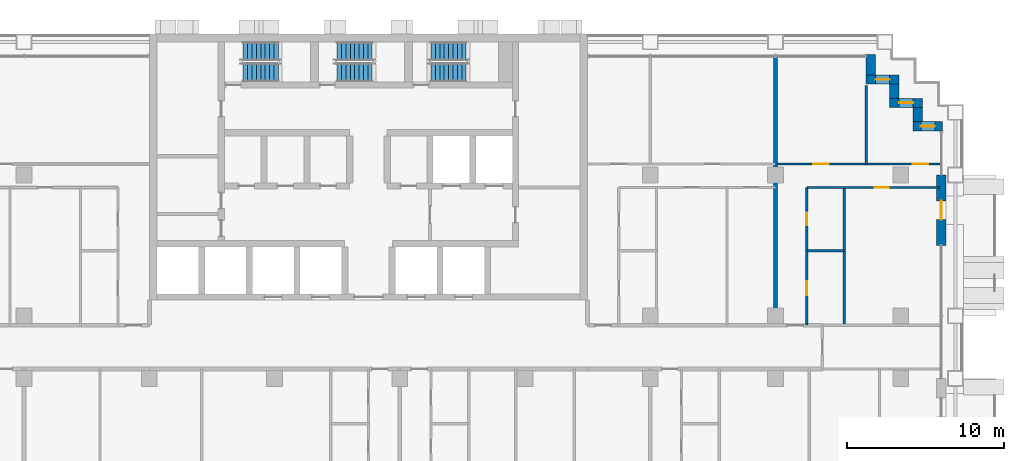
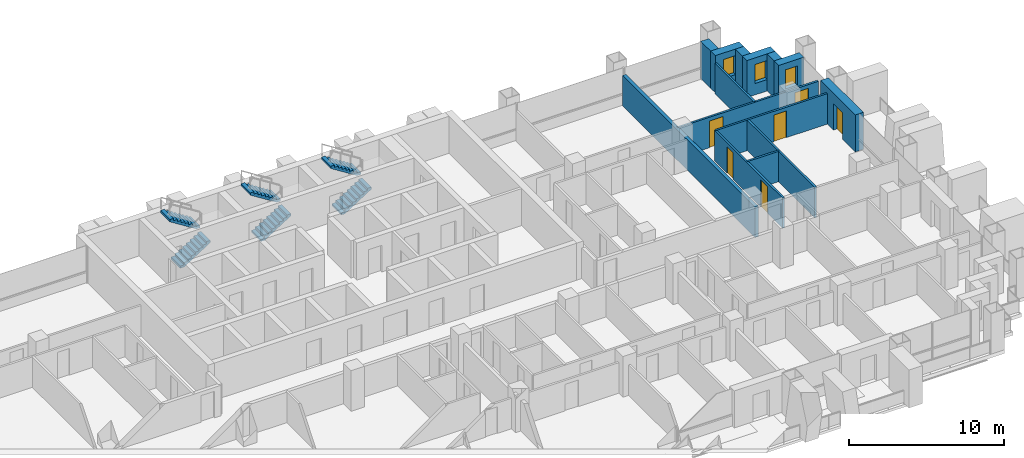
# One storey, part 14 of 18: 14 walls, 6 doors, 6 stair flights, 3 windows, 9 openings, 3 elements without a shape of their own.
"""IFC4 building model written with IfcOpenShell, lengths in metres."""

from ifc_helpers import new_model, si_unit, direction, frame, frame_2d, origin, place, context, subcontext, project, spatial, polyline, rectangle, outline, extrude, material, layer, layer_set, type_object, element, fill, aggregate, save


model = new_model("IFC4")

# Units and contexts
model_context = context("Model", 3, precision=1e-05, world=origin(), true_north=direction((0.0, 1.0)))
body_context = subcontext(model_context, "Body", "Model", "MODEL_VIEW")
ifc_project = project(units=[si_unit("LENGTHUNIT", "METRE"), si_unit("AREAUNIT", "SQUARE_METRE"), si_unit("VOLUMEUNIT", "CUBIC_METRE"), si_unit("PLANEANGLEUNIT", "RADIAN"), si_unit("MASSUNIT", "GRAM", prefix="KILO")], contexts=[model_context])

# Site, building, storey
site_placement = place(None, origin())
site = spatial("IfcSite", under=ifc_project, at=site_placement, CompositionType="ELEMENT")
building_placement = place(site_placement, origin())
building = spatial("IfcBuilding", under=site, at=building_placement, Name="Vidyagriha Tower", CompositionType="ELEMENT")
storey_placement = place(building_placement, frame((0.0, 0.0, 44.800048828125)))
storey = spatial("IfcBuildingStorey", under=building, at=storey_placement, Name="L11", CompositionType="ELEMENT", Elevation=44.800048828125)

# Wall, opening, window
ifc_material_1 = material(Name="Precast concrete C40/50 with brick facing", Category="concrete")
ifc_layer_1 = layer(ifc_material_1, 0.60009765625)
ifc_layer_set_1 = layer_set([ifc_layer_1], Name="Precast concrete C40/50 with brick facing")
wall_type_1 = type_object("IfcWallType", Name="Brick-faced precast wall 600", PredefinedType="STANDARD", material=ifc_layer_set_1)
wall_1_placement = place(storey_placement, frame((36.679931640625, 14.10009765625, 0.0), z_axis=(0.0, 0.0, 1.0), x_axis=(-1.0, 0.0, 0.0)))
wall_1 = element("IfcWall", 1, at=wall_1_placement, inside=storey, type_object=wall_type_1, Name="Stepped corner wall L11 R01", PredefinedType="STANDARD", context=body_context, shape_type="SweptSolid", body=[
    extrude(rectangle(XDim=1.8798828125, YDim=0.60009765625, at=frame_2d((0.93994140625, 0.0))), origin(), (0.0, 0.0, 1.0), 2.919921875),
])
opening_1_placement = place(wall_1_placement, frame((0.489990234375, 0.0, 0.89990234375)))
opening_1 = element("IfcOpeningElement", 2, at=opening_1_placement, cuts=wall_1, Name="Opening WN1", PredefinedType="OPENING", context=body_context, shape_type="SweptSolid", body=[
    extrude(rectangle(XDim=0.89990234375, YDim=1.5, at=frame_2d((0.449951171875, 0.75))), frame((0.0, 0.31005859375, 0.0), z_axis=(0.0, -1.0, 0.0), x_axis=(1.0, 0.0, 0.0)), (0.0, 0.0, 1.0), 0.6201171875),
])
ifc_material_2 = material(Name="Aluminium and glass window", Category="aluminium")
window_type = type_object("IfcWindowType", Name="Reveal window 900x1500", PartitioningType="NOTDEFINED", PredefinedType="WINDOW", material=ifc_material_2)
window_1_placement = place(opening_1_placement, origin())
window_1 = element("IfcWindow", 3, at=window_1_placement, inside=storey, type_object=window_type, Name="Reveal window L11 R01", OverallHeight=1.5, OverallWidth=0.89990234375, PartitioningType="SINGLE_PANEL", PredefinedType="WINDOW", context=body_context, shape_type="SweptSolid", body=[
    extrude(rectangle(XDim=0.89990234375, YDim=1.5, at=frame_2d((0.449951171875, 0.75))), frame((0.0, 0.030029296875, 0.0), z_axis=(0.0, -1.0, 0.0), x_axis=(1.0, 0.0, 0.0)), (0.0, 0.0, 1.0), 0.06005859375),
])
fill(opening_1, window_1)

# Wall
wall_2_placement = place(storey_placement, frame((35.10009765625, 14.39990234375, 0.0), z_axis=(0.0, 0.0, 1.0), x_axis=(0.0, 1.0, 0.0)))
element("IfcWall", 4, at=wall_2_placement, inside=storey, type_object=wall_type_1, Name="Stepped corner wall L11 R02", PredefinedType="STANDARD", context=body_context, shape_type="SweptSolid", body=[
    extrude(rectangle(XDim=0.900146484375, YDim=0.60009765625, at=frame_2d((0.4501953125, 0.0))), origin(), (0.0, 0.0, 1.0), 2.919921875),
])

# Wall, opening, window
wall_3_placement = place(storey_placement, frame((35.39990234375, 15.60009765625, 0.0), z_axis=(0.0, 0.0, 1.0), x_axis=(-1.0, 0.0, 0.0)))
wall_3 = element("IfcWall", 5, at=wall_3_placement, inside=storey, type_object=wall_type_1, Name="Stepped corner wall L11 R03", PredefinedType="STANDARD", context=body_context, shape_type="SweptSolid", body=[
    extrude(rectangle(XDim=2.099853515625, YDim=0.60009765625, at=frame_2d((1.0498046875, 0.0))), origin(), (0.0, 0.0, 1.0), 2.919921875),
])
opening_2_placement = place(wall_3_placement, frame((0.60009765625, 0.0, 0.89990234375)))
opening_2 = element("IfcOpeningElement", 6, at=opening_2_placement, cuts=wall_3, Name="Opening WN1", PredefinedType="OPENING", context=body_context, shape_type="SweptSolid", body=[
    extrude(rectangle(XDim=0.89990234375, YDim=1.5, at=frame_2d((0.449951171875, 0.75))), frame((0.0, 0.31005859375, 0.0), z_axis=(0.0, -1.0, 0.0), x_axis=(1.0, 0.0, 0.0)), (0.0, 0.0, 1.0), 0.6201171875),
])
window_2_placement = place(opening_2_placement, origin())
window_2 = element("IfcWindow", 7, at=window_2_placement, inside=storey, type_object=window_type, Name="Reveal window L11 R03", OverallHeight=1.5, OverallWidth=0.89990234375, PartitioningType="SINGLE_PANEL", PredefinedType="WINDOW", context=body_context, shape_type="SweptSolid", body=[
    extrude(rectangle(XDim=0.89990234375, YDim=1.5, at=frame_2d((0.449951171875, 0.75))), frame((0.0, 0.030029296875, 0.0), z_axis=(0.0, -1.0, 0.0), x_axis=(1.0, 0.0, 0.0)), (0.0, 0.0, 1.0), 0.06005859375),
])
fill(opening_2, window_2)

# Wall
wall_4_placement = place(storey_placement, frame((33.60009765625, 15.89990234375, 0.0), z_axis=(0.0, 0.0, 1.0), x_axis=(0.0, 1.0, 0.0)))
element("IfcWall", 8, at=wall_4_placement, inside=storey, type_object=wall_type_1, Name="Stepped corner wall L11 R04", PredefinedType="STANDARD", context=body_context, shape_type="SweptSolid", body=[
    extrude(rectangle(XDim=0.900146484375, YDim=0.60009765625, at=frame_2d((0.4501953125, 0.0))), origin(), (0.0, 0.0, 1.0), 2.919921875),
])

# Wall, opening, window
wall_5_placement = place(storey_placement, frame((33.89990234375, 17.10009765625, 0.0), z_axis=(0.0, 0.0, 1.0), x_axis=(-1.0, 0.0, 0.0)))
wall_5 = element("IfcWall", 9, at=wall_5_placement, inside=storey, type_object=wall_type_1, Name="Stepped corner wall L11 R05", PredefinedType="STANDARD", context=body_context, shape_type="SweptSolid", body=[
    extrude(rectangle(XDim=2.099853515625, YDim=0.60009765625, at=frame_2d((1.0498046875, 0.0))), origin(), (0.0, 0.0, 1.0), 2.919921875),
])
opening_3_placement = place(wall_5_placement, frame((0.60009765625, 0.0, 0.89990234375)))
opening_3 = element("IfcOpeningElement", 10, at=opening_3_placement, cuts=wall_5, Name="Opening WN1", PredefinedType="OPENING", context=body_context, shape_type="SweptSolid", body=[
    extrude(rectangle(XDim=0.89990234375, YDim=1.5, at=frame_2d((0.449951171875, 0.75))), frame((0.0, 0.31005859375, 0.0), z_axis=(0.0, -1.0, 0.0), x_axis=(1.0, 0.0, 0.0)), (0.0, 0.0, 1.0), 0.6201171875),
])
window_3_placement = place(opening_3_placement, origin())
window_3 = element("IfcWindow", 11, at=window_3_placement, inside=storey, type_object=window_type, Name="Reveal window L11 R05", OverallHeight=1.5, OverallWidth=0.89990234375, PartitioningType="SINGLE_PANEL", PredefinedType="WINDOW", context=body_context, shape_type="SweptSolid", body=[
    extrude(rectangle(XDim=0.89990234375, YDim=1.5, at=frame_2d((0.449951171875, 0.75))), frame((0.0, 0.030029296875, 0.0), z_axis=(0.0, -1.0, 0.0), x_axis=(1.0, 0.0, 0.0)), (0.0, 0.0, 1.0), 0.06005859375),
])
fill(opening_3, window_3)

# Wall
wall_6_placement = place(storey_placement, frame((32.10009765625, 17.39990234375, 0.0), z_axis=(0.0, 0.0, 1.0), x_axis=(0.0, 1.0, 0.0)))
element("IfcWall", 12, at=wall_6_placement, inside=storey, type_object=wall_type_1, Name="Stepped corner wall L11 R06", PredefinedType="STANDARD", context=body_context, shape_type="SweptSolid", body=[
    extrude(rectangle(XDim=1.280029296875, YDim=0.60009765625, at=frame_2d((0.64013671875, 0.0))), origin(), (0.0, 0.0, 1.0), 2.919921875),
])

# Wall, opening, door
wall_7_placement = place(storey_placement, frame((36.60009765625, 6.5, 0.0), z_axis=(0.0, 0.0, 1.0), x_axis=(0.0, 1.0, 0.0)))
wall_7 = element("IfcWall", 13, at=wall_7_placement, inside=storey, type_object=wall_type_1, Name="Brick door bay wall L11 R30.6", PredefinedType="STANDARD", context=body_context, shape_type="SweptSolid", body=[
    extrude(rectangle(XDim=4.5, YDim=0.60009765625, at=frame_2d((2.25, 0.0))), origin(), (0.0, 0.0, 1.0), 2.919921875),
])
opening_4_placement = place(wall_7_placement, frame((1.64990234375, 0.0, 0.0)))
opening_4 = element("IfcOpeningElement", 14, at=opening_4_placement, cuts=wall_7, Name="Opening D11-85", PredefinedType="OPENING", context=body_context, shape_type="SweptSolid", body=[
    extrude(rectangle(XDim=1.199951171875, YDim=2.10009765625, at=frame_2d((0.60009765625, 1.050048828125))), frame((0.0, 0.31005859375, 0.0), z_axis=(0.0, -1.0, 0.0), x_axis=(1.0, 0.0, 0.0)), (0.0, 0.0, 1.0), 0.6201171875),
])
ifc_material_3 = material(Name="Aluminium framed glazed sliding door", Category="aluminium")
door_type_1 = type_object("IfcDoorType", Name="Balcony sliding door 1200x2100", OperationType="NOTDEFINED", PredefinedType="DOOR", material=ifc_material_3)
door_1_placement = place(opening_4_placement, origin())
door_1 = element("IfcDoor", 15, at=door_1_placement, inside=storey, type_object=door_type_1, Name="Door D11-85", OperationType="SLIDING_TO_LEFT", OverallHeight=2.10009765625, OverallWidth=1.199951171875, PredefinedType="DOOR", context=body_context, shape_type="SweptSolid", body=[
    extrude(rectangle(XDim=1.199951171875, YDim=2.10009765625, at=frame_2d((0.60009765625, 1.050048828125))), frame((0.0, 0.02490234375, 0.0), z_axis=(0.0, -1.0, 0.0), x_axis=(1.0, 0.0, 0.0)), (0.0, 0.0, 1.0), 0.050048828125),
])
fill(opening_4, door_1)

# Walls
ifc_material_4 = material(Name="Fired clay brick masonry", Category="masonry")
ifc_layer_2 = layer(ifc_material_4, 0.25)
ifc_layer_set_2 = layer_set([ifc_layer_2], Name="Fired clay brick masonry")
wall_type_2 = type_object("IfcWallType", Name="Fired clay brick demising wall 250", PredefinedType="PARTITIONING", material=ifc_layer_set_2)
wall_8_placement = place(storey_placement, frame((26.0, 18.52099609375, 0.0), z_axis=(0.0, 0.0, 1.0), x_axis=(0.0, -1.0, 0.0)))
element("IfcWall", 16, at=wall_8_placement, inside=storey, type_object=wall_type_2, Name="Wall all-L11-w126", PredefinedType="PARTITIONING", context=body_context, shape_type="SweptSolid", body=[
    extrude(rectangle(XDim=17.12109375, YDim=0.25, at=frame_2d((8.560546875, 0.0))), origin(), (0.0, 0.0, 1.0), 2.39990234375),
])
ifc_material_5 = material(Name="Gypsum board partition")
ifc_layer_3 = layer(ifc_material_5, 0.14990234375)
ifc_layer_set_3 = layer_set([ifc_layer_3], Name="Gypsum board partition")
wall_type_3 = type_object("IfcWallType", Name="Gypsum board partition 150", PredefinedType="PARTITIONING", material=ifc_layer_set_3)
wall_9_placement = place(storey_placement, frame((28.0, 6.14990234375, 0.0)))
element("IfcWall", 17, at=wall_9_placement, inside=storey, type_object=wall_type_3, Name="Wall all-L11-w117", PredefinedType="PARTITIONING", context=body_context, shape_type="SweptSolid", body=[
    extrude(rectangle(XDim=2.39990234375, YDim=0.14990234375, at=frame_2d((1.199951171875, 0.0))), origin(), (0.0, 0.0, 1.0), 2.39990234375),
])
wall_10_placement = place(storey_placement, frame((30.39990234375, 10.199951171875, 0.0), z_axis=(0.0, 0.0, 1.0), x_axis=(0.0, -1.0, 0.0)))
element("IfcWall", 18, at=wall_10_placement, inside=storey, type_object=wall_type_3, Name="Wall all-L11-w118", PredefinedType="PARTITIONING", context=body_context, shape_type="SweptSolid", body=[
    extrude(rectangle(XDim=8.800048828125, YDim=0.14990234375, at=frame_2d((4.39990234375, 0.0))), origin(), (0.0, 0.0, 1.0), 2.39990234375),
])

# Wall, opening, door
wall_11_placement = place(storey_placement, frame((36.510009765625, 10.199951171875, 0.0), z_axis=(0.0, 0.0, 1.0), x_axis=(-1.0, 0.0, 0.0)))
wall_11 = element("IfcWall", 19, at=wall_11_placement, inside=storey, type_object=wall_type_3, Name="Wall all-L11-w119", PredefinedType="PARTITIONING", context=body_context, shape_type="SweptSolid", body=[
    extrude(rectangle(XDim=8.510009765625, YDim=0.14990234375, at=frame_2d((4.2548828125, 0.0))), origin(), (0.0, 0.0, 1.0), 2.39990234375),
])
opening_5_placement = place(wall_11_placement, frame((3.27001953125, 0.0, 0.0)))
opening_5 = element("IfcOpeningElement", 20, at=opening_5_placement, cuts=wall_11, Name="Opening D11-69", PredefinedType="OPENING", context=body_context, shape_type="SweptSolid", body=[
    extrude(rectangle(XDim=0.89990234375, YDim=2.10009765625, at=frame_2d((0.449951171875, 1.050048828125))), frame((0.0, 0.0849609375, 0.0), z_axis=(0.0, -1.0, 0.0), x_axis=(1.0, 0.0, 0.0)), (0.0, 0.0, 1.0), 0.169921875),
])
ifc_material_6 = material(Name="Timber door leaf", Category="wood")
door_type_2 = type_object("IfcDoorType", Name="Room door 900x2100", OperationType="NOTDEFINED", PredefinedType="DOOR", material=ifc_material_6)
door_2_placement = place(opening_5_placement, origin())
door_2 = element("IfcDoor", 21, at=door_2_placement, inside=storey, type_object=door_type_2, Name="Door D11-69", OperationType="SINGLE_SWING_RIGHT", OverallHeight=2.10009765625, OverallWidth=0.89990234375, PredefinedType="DOOR", context=body_context, shape_type="SweptSolid", body=[
    extrude(rectangle(XDim=0.89990234375, YDim=2.10009765625, at=frame_2d((0.449951171875, 1.050048828125))), frame((0.0, 0.02490234375, 0.0), z_axis=(0.0, -1.0, 0.0), x_axis=(1.0, 0.0, 0.0)), (0.0, 0.0, 1.0), 0.050048828125),
])
fill(opening_5, door_2)

# Wall, openings, doors
wall_12_placement = place(storey_placement, frame((26.0, 11.699951171875, 0.0)))
wall_12 = element("IfcWall", 22, at=wall_12_placement, inside=storey, type_object=wall_type_3, Name="Wall all-L11-w121", PredefinedType="PARTITIONING", context=body_context, shape_type="SweptSolid", body=[
    extrude(rectangle(XDim=10.52001953125, YDim=0.14990234375, at=frame_2d((5.260009765625, 0.0))), origin(), (0.0, 0.0, 1.0), 2.39990234375),
])
opening_6_placement = place(wall_12_placement, frame((2.39990234375, 0.0, 0.0)))
opening_6 = element("IfcOpeningElement", 23, at=opening_6_placement, cuts=wall_12, Name="Opening D11-70", PredefinedType="OPENING", context=body_context, shape_type="SweptSolid", body=[
    extrude(rectangle(XDim=1.0, YDim=2.10009765625, at=frame_2d((0.5, 1.050048828125))), frame((0.0, 0.0849609375, 0.0), z_axis=(0.0, -1.0, 0.0), x_axis=(1.0, 0.0, 0.0)), (0.0, 0.0, 1.0), 0.169921875),
])
opening_7_placement = place(wall_12_placement, frame((8.760009765625, 0.0, 0.0)))
opening_7 = element("IfcOpeningElement", 24, at=opening_7_placement, cuts=wall_12, Name="Opening D11-71", PredefinedType="OPENING", context=body_context, shape_type="SweptSolid", body=[
    extrude(rectangle(XDim=1.0, YDim=2.10009765625, at=frame_2d((0.5, 1.050048828125))), frame((0.0, 0.0849609375, 0.0), z_axis=(0.0, -1.0, 0.0), x_axis=(1.0, 0.0, 0.0)), (0.0, 0.0, 1.0), 0.169921875),
])
ifc_material_7 = material(Name="Timber door leaf", Category="wood")
door_type_3 = type_object("IfcDoorType", Name="Room door 1000x2100", OperationType="NOTDEFINED", PredefinedType="DOOR", material=ifc_material_7)
door_3_placement = place(opening_6_placement, origin())
door_3 = element("IfcDoor", 25, at=door_3_placement, inside=storey, type_object=door_type_3, Name="Door D11-70", OperationType="SINGLE_SWING_LEFT", OverallHeight=2.10009765625, OverallWidth=1.0, PredefinedType="DOOR", context=body_context, shape_type="SweptSolid", body=[
    extrude(rectangle(XDim=1.0, YDim=2.10009765625, at=frame_2d((0.5, 1.050048828125))), frame((0.0, 0.02490234375, 0.0), z_axis=(0.0, -1.0, 0.0), x_axis=(1.0, 0.0, 0.0)), (0.0, 0.0, 1.0), 0.050048828125),
])
fill(opening_6, door_3)
door_4_placement = place(opening_7_placement, origin())
door_4 = element("IfcDoor", 26, at=door_4_placement, inside=storey, type_object=door_type_3, Name="Door D11-71", OperationType="SINGLE_SWING_RIGHT", OverallHeight=2.10009765625, OverallWidth=1.0, PredefinedType="DOOR", context=body_context, shape_type="SweptSolid", body=[
    extrude(rectangle(XDim=1.0, YDim=2.10009765625, at=frame_2d((0.5, 1.050048828125))), frame((0.0, 0.02490234375, 0.0), z_axis=(0.0, -1.0, 0.0), x_axis=(1.0, 0.0, 0.0)), (0.0, 0.0, 1.0), 0.050048828125),
])
fill(opening_7, door_4)

# Wall
wall_13_placement = place(storey_placement, frame((31.800048828125, 16.719970703125, 0.0), z_axis=(0.0, 0.0, 1.0), x_axis=(0.0, -1.0, 0.0)))
element("IfcWall", 27, at=wall_13_placement, inside=storey, type_object=wall_type_3, Name="Wall all-L11-w124", PredefinedType="PARTITIONING", context=body_context, shape_type="SweptSolid", body=[
    extrude(rectangle(XDim=5.02001953125, YDim=0.14990234375, at=frame_2d((2.510009765625, 0.0))), origin(), (0.0, 0.0, 1.0), 2.39990234375),
])

# Wall, openings, doors
ifc_material_8 = material(Name="Moisture resistant gypsum board partition")
ifc_layer_4 = layer(ifc_material_8, 0.14990234375)
ifc_layer_set_4 = layer_set([ifc_layer_4], Name="Moisture resistant gypsum board partition")
wall_type_4 = type_object("IfcWallType", Name="Gypsum board wet-area partition 150", PredefinedType="PARTITIONING", material=ifc_layer_set_4)
wall_14_placement = place(storey_placement, frame((28.0, 10.199951171875, 0.0), z_axis=(0.0, 0.0, 1.0), x_axis=(0.0, -1.0, 0.0)))
wall_14 = element("IfcWall", 28, at=wall_14_placement, inside=storey, type_object=wall_type_4, Name="Wall all-L11-w114", PredefinedType="PARTITIONING", context=body_context, shape_type="SweptSolid", body=[
    extrude(rectangle(XDim=8.800048828125, YDim=0.14990234375, at=frame_2d((4.39990234375, 0.0))), origin(), (0.0, 0.0, 1.0), 2.39990234375),
])
opening_8_placement = place(wall_14_placement, frame((5.97509765625, 0.0, 0.0)))
opening_8 = element("IfcOpeningElement", 29, at=opening_8_placement, cuts=wall_14, Name="Opening D11-67", PredefinedType="OPENING", context=body_context, shape_type="SweptSolid", body=[
    extrude(rectangle(XDim=0.89990234375, YDim=2.10009765625, at=frame_2d((0.449951171875, 1.050048828125))), frame((0.0, 0.0849609375, 0.0), z_axis=(0.0, -1.0, 0.0), x_axis=(1.0, 0.0, 0.0)), (0.0, 0.0, 1.0), 0.169921875),
])
opening_9_placement = place(wall_14_placement, frame((1.625, 0.0, 0.0)))
opening_9 = element("IfcOpeningElement", 30, at=opening_9_placement, cuts=wall_14, Name="Opening D11-68", PredefinedType="OPENING", context=body_context, shape_type="SweptSolid", body=[
    extrude(rectangle(XDim=0.800048828125, YDim=2.10009765625, at=frame_2d((0.39990234375, 1.050048828125))), frame((0.0, 0.0849609375, 0.0), z_axis=(0.0, -1.0, 0.0), x_axis=(1.0, 0.0, 0.0)), (0.0, 0.0, 1.0), 0.169921875),
])
ifc_material_9 = material(Name="Timber door leaf", Category="wood")
door_type_4 = type_object("IfcDoorType", Name="Bathroom door 800x2100", OperationType="NOTDEFINED", PredefinedType="DOOR", material=ifc_material_9)
door_5_placement = place(opening_9_placement, origin())
door_5 = element("IfcDoor", 31, at=door_5_placement, inside=storey, type_object=door_type_4, Name="Door D11-68", OperationType="SINGLE_SWING_LEFT", OverallHeight=2.10009765625, OverallWidth=0.800048828125, PredefinedType="DOOR", context=body_context, shape_type="SweptSolid", body=[
    extrude(rectangle(XDim=0.800048828125, YDim=2.10009765625, at=frame_2d((0.39990234375, 1.050048828125))), frame((0.0, 0.02490234375, 0.0), z_axis=(0.0, -1.0, 0.0), x_axis=(1.0, 0.0, 0.0)), (0.0, 0.0, 1.0), 0.050048828125),
])
fill(opening_9, door_5)
ifc_material_10 = material(Name="Timber door leaf", Category="wood")
door_type_5 = type_object("IfcDoorType", Name="Kitchen door 900x2100", OperationType="NOTDEFINED", PredefinedType="DOOR", material=ifc_material_10)
door_6_placement = place(opening_8_placement, origin())
door_6 = element("IfcDoor", 32, at=door_6_placement, inside=storey, type_object=door_type_5, Name="Door D11-67", OperationType="SINGLE_SWING_LEFT", OverallHeight=2.10009765625, OverallWidth=0.89990234375, PredefinedType="DOOR", context=body_context, shape_type="SweptSolid", body=[
    extrude(rectangle(XDim=0.89990234375, YDim=2.10009765625, at=frame_2d((0.449951171875, 1.050048828125))), frame((0.0, 0.02490234375, 0.0), z_axis=(0.0, -1.0, 0.0), x_axis=(1.0, 0.0, 0.0)), (0.0, 0.0, 1.0), 0.050048828125),
])
fill(opening_8, door_6)

# Stair, stair flights
ifc_material_11 = material(Name="Concrete C40/50", Category="concrete")
stair_type = type_object("IfcStairType", Name="Exit stair, half-turn, precast flights", PredefinedType="HALF_TURN_STAIR", material=ifc_material_11)
stair_1_placement = place(storey_placement, origin())
stair_1 = element("IfcStair", 33, at=stair_1_placement, inside=storey, type_object=stair_type, Name="L11 Exit Stair ST1", PredefinedType="HALF_TURN_STAIR")
ifc_material_12 = material(Name="Precast concrete C40/50", Category="concrete")
stair_flight_type = type_object("IfcStairFlightType", Name="Exit stair flight 1200 mm, precast", PredefinedType="STRAIGHT", material=ifc_material_12)
stair_flight_1_placement = place(storey_placement, frame((-8.0, 17.550048828125, 0.0)))
stair_flight_1 = element("IfcStairFlight", 34, at=stair_flight_1_placement, type_object=stair_flight_type, Name="ST1 flight 1", NumberOfRisers=9, NumberOfTreads=8, PredefinedType="STRAIGHT", RiserHeight=0.177777778, TreadLength=0.28, context=body_context, shape_type="SweptSolid", body=[
    extrude(outline(polyline([(0.0, 0.0), (0.0, 0.177734375), (0.280029296875, 0.177734375), (0.280029296875, 0.35546875), (0.56005859375, 0.35546875), (0.56005859375, 0.533447265625), (0.840087890625, 0.533447265625), (0.840087890625, 0.711181640625), (1.1201171875, 0.711181640625), (1.1201171875, 0.888916015625), (1.39990234375, 0.888916015625), (1.39990234375, 1.066650390625), (1.679931640625, 1.066650390625), (1.679931640625, 1.244384765625), (1.9599609375, 1.244384765625), (1.9599609375, 1.422119140625), (2.239990234375, 1.422119140625), (2.239990234375, 1.60009765625), (2.239990234375, 1.24462890625), (0.27978515625, 0.0), (0.0, 0.0)])), frame((0.0, 0.60009765625, 0.0), z_axis=(0.0, -1.0, 0.0), x_axis=(1.0, 0.0, 0.0)), (0.0, 0.0, 1.0), 1.199951171875),
])
stair_flight_2_placement = place(storey_placement, frame((-5.760009765625, 18.89990234375, 1.599853515625), z_axis=(0.0, 0.0, 1.0), x_axis=(-1.0, 0.0, 0.0)))
stair_flight_2 = element("IfcStairFlight", 35, at=stair_flight_2_placement, type_object=stair_flight_type, Name="ST1 flight 2", NumberOfRisers=9, NumberOfTreads=8, PredefinedType="STRAIGHT", RiserHeight=0.177777778, TreadLength=0.28, context=body_context, shape_type="SweptSolid", body=[
    extrude(outline(polyline([(0.0, 0.0), (0.0, 0.177734375), (0.280029296875, 0.177734375), (0.280029296875, 0.35546875), (0.56005859375, 0.35546875), (0.56005859375, 0.533447265625), (0.840087890625, 0.533447265625), (0.840087890625, 0.711181640625), (1.1201171875, 0.711181640625), (1.1201171875, 0.888916015625), (1.39990234375, 0.888916015625), (1.39990234375, 1.066650390625), (1.679931640625, 1.066650390625), (1.679931640625, 1.244384765625), (1.9599609375, 1.244384765625), (1.9599609375, 1.422119140625), (2.239990234375, 1.422119140625), (2.239990234375, 1.60009765625), (2.239990234375, 1.24462890625), (0.27978515625, 0.0), (0.0, 0.0)])), frame((0.0, 0.60009765625, 0.0), z_axis=(0.0, -1.0, 0.0), x_axis=(1.0, 0.0, 0.0)), (0.0, 0.0, 1.0), 1.199951171875),
])
aggregate(stair_1, [stair_flight_1, stair_flight_2])

stair_2_placement = place(storey_placement, origin())
stair_2 = element("IfcStair", 36, at=stair_2_placement, inside=storey, type_object=stair_type, Name="L11 Exit Stair ST2", PredefinedType="HALF_TURN_STAIR")
stair_flight_3_placement = place(storey_placement, frame((-2.0, 17.550048828125, 0.0)))
stair_flight_3 = element("IfcStairFlight", 37, at=stair_flight_3_placement, type_object=stair_flight_type, Name="ST2 flight 1", NumberOfRisers=9, NumberOfTreads=8, PredefinedType="STRAIGHT", RiserHeight=0.177777778, TreadLength=0.28, context=body_context, shape_type="SweptSolid", body=[
    extrude(outline(polyline([(0.0, 0.0), (0.0, 0.177734375), (0.280029296875, 0.177734375), (0.280029296875, 0.35546875), (0.56005859375, 0.35546875), (0.56005859375, 0.533447265625), (0.840087890625, 0.533447265625), (0.840087890625, 0.711181640625), (1.1201171875, 0.711181640625), (1.1201171875, 0.888916015625), (1.39990234375, 0.888916015625), (1.39990234375, 1.066650390625), (1.679931640625, 1.066650390625), (1.679931640625, 1.244384765625), (1.9599609375, 1.244384765625), (1.9599609375, 1.422119140625), (2.239990234375, 1.422119140625), (2.239990234375, 1.60009765625), (2.239990234375, 1.24462890625), (0.27978515625, 0.0), (0.0, 0.0)])), frame((0.0, 0.60009765625, 0.0), z_axis=(0.0, -1.0, 0.0), x_axis=(1.0, 0.0, 0.0)), (0.0, 0.0, 1.0), 1.199951171875),
])
stair_flight_4_placement = place(storey_placement, frame((0.239990234375, 18.89990234375, 1.599853515625), z_axis=(0.0, 0.0, 1.0), x_axis=(-1.0, 0.0, 0.0)))
stair_flight_4 = element("IfcStairFlight", 38, at=stair_flight_4_placement, type_object=stair_flight_type, Name="ST2 flight 2", NumberOfRisers=9, NumberOfTreads=8, PredefinedType="STRAIGHT", RiserHeight=0.177777778, TreadLength=0.28, context=body_context, shape_type="SweptSolid", body=[
    extrude(outline(polyline([(0.0, 0.0), (0.0, 0.177734375), (0.280029296875, 0.177734375), (0.280029296875, 0.35546875), (0.56005859375, 0.35546875), (0.56005859375, 0.533447265625), (0.840087890625, 0.533447265625), (0.840087890625, 0.711181640625), (1.1201171875, 0.711181640625), (1.1201171875, 0.888916015625), (1.39990234375, 0.888916015625), (1.39990234375, 1.066650390625), (1.679931640625, 1.066650390625), (1.679931640625, 1.244384765625), (1.9599609375, 1.244384765625), (1.9599609375, 1.422119140625), (2.239990234375, 1.422119140625), (2.239990234375, 1.60009765625), (2.239990234375, 1.24462890625), (0.27978515625, 0.0), (0.0, 0.0)])), frame((0.0, 0.60009765625, 0.0), z_axis=(0.0, -1.0, 0.0), x_axis=(1.0, 0.0, 0.0)), (0.0, 0.0, 1.0), 1.199951171875),
])
aggregate(stair_2, [stair_flight_3, stair_flight_4])

stair_3_placement = place(storey_placement, origin())
stair_3 = element("IfcStair", 39, at=stair_3_placement, inside=storey, type_object=stair_type, Name="L11 Exit Stair ST3", PredefinedType="HALF_TURN_STAIR")
stair_flight_5_placement = place(storey_placement, frame((4.0, 17.550048828125, 0.0)))
stair_flight_5 = element("IfcStairFlight", 40, at=stair_flight_5_placement, type_object=stair_flight_type, Name="ST3 flight 1", NumberOfRisers=9, NumberOfTreads=8, PredefinedType="STRAIGHT", RiserHeight=0.177777778, TreadLength=0.28, context=body_context, shape_type="SweptSolid", body=[
    extrude(outline(polyline([(0.0, 0.0), (0.0, 0.177734375), (0.280029296875, 0.177734375), (0.280029296875, 0.35546875), (0.56005859375, 0.35546875), (0.56005859375, 0.533447265625), (0.840087890625, 0.533447265625), (0.840087890625, 0.711181640625), (1.1201171875, 0.711181640625), (1.1201171875, 0.888916015625), (1.39990234375, 0.888916015625), (1.39990234375, 1.066650390625), (1.679931640625, 1.066650390625), (1.679931640625, 1.244384765625), (1.9599609375, 1.244384765625), (1.9599609375, 1.422119140625), (2.239990234375, 1.422119140625), (2.239990234375, 1.60009765625), (2.239990234375, 1.24462890625), (0.27978515625, 0.0), (0.0, 0.0)])), frame((0.0, 0.60009765625, 0.0), z_axis=(0.0, -1.0, 0.0), x_axis=(1.0, 0.0, 0.0)), (0.0, 0.0, 1.0), 1.199951171875),
])
stair_flight_6_placement = place(storey_placement, frame((6.239990234375, 18.89990234375, 1.599853515625), z_axis=(0.0, 0.0, 1.0), x_axis=(-1.0, 0.0, 0.0)))
stair_flight_6 = element("IfcStairFlight", 41, at=stair_flight_6_placement, type_object=stair_flight_type, Name="ST3 flight 2", NumberOfRisers=9, NumberOfTreads=8, PredefinedType="STRAIGHT", RiserHeight=0.177777778, TreadLength=0.28, context=body_context, shape_type="SweptSolid", body=[
    extrude(outline(polyline([(0.0, 0.0), (0.0, 0.177734375), (0.280029296875, 0.177734375), (0.280029296875, 0.35546875), (0.56005859375, 0.35546875), (0.56005859375, 0.533447265625), (0.840087890625, 0.533447265625), (0.840087890625, 0.711181640625), (1.1201171875, 0.711181640625), (1.1201171875, 0.888916015625), (1.39990234375, 0.888916015625), (1.39990234375, 1.066650390625), (1.679931640625, 1.066650390625), (1.679931640625, 1.244384765625), (1.9599609375, 1.244384765625), (1.9599609375, 1.422119140625), (2.239990234375, 1.422119140625), (2.239990234375, 1.60009765625), (2.239990234375, 1.24462890625), (0.27978515625, 0.0), (0.0, 0.0)])), frame((0.0, 0.60009765625, 0.0), z_axis=(0.0, -1.0, 0.0), x_axis=(1.0, 0.0, 0.0)), (0.0, 0.0, 1.0), 1.199951171875),
])
aggregate(stair_3, [stair_flight_5, stair_flight_6])

save(model, "model.ifc")
